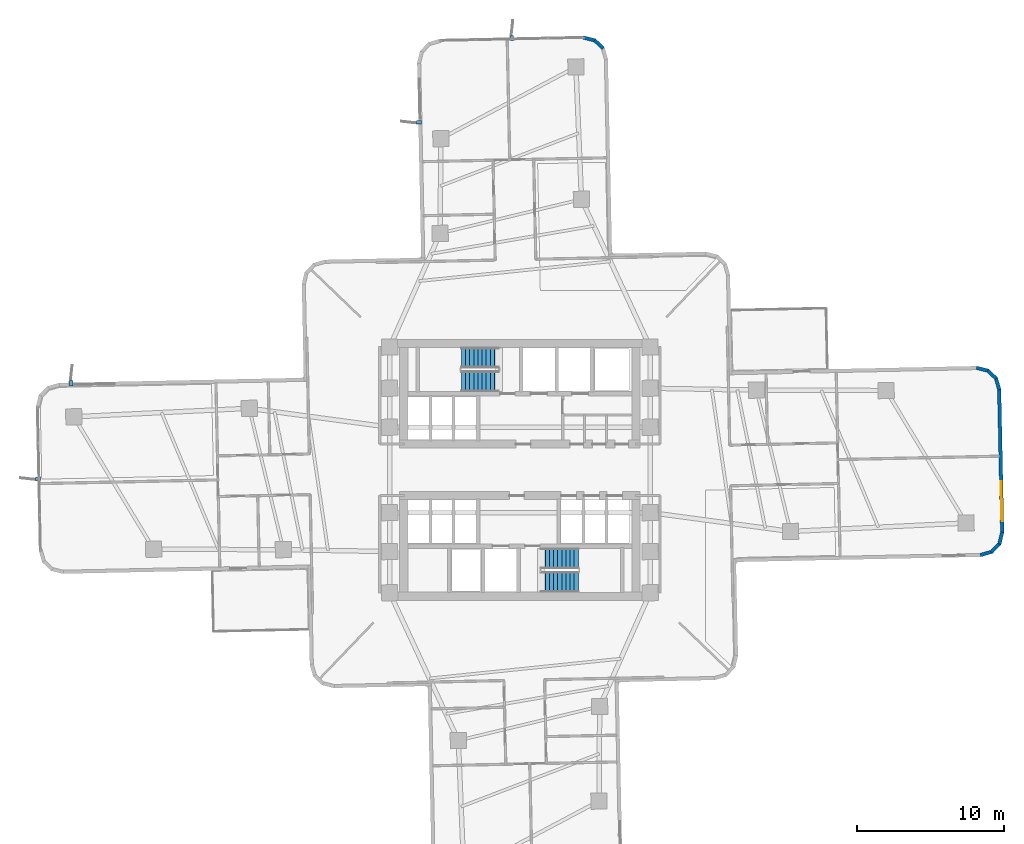
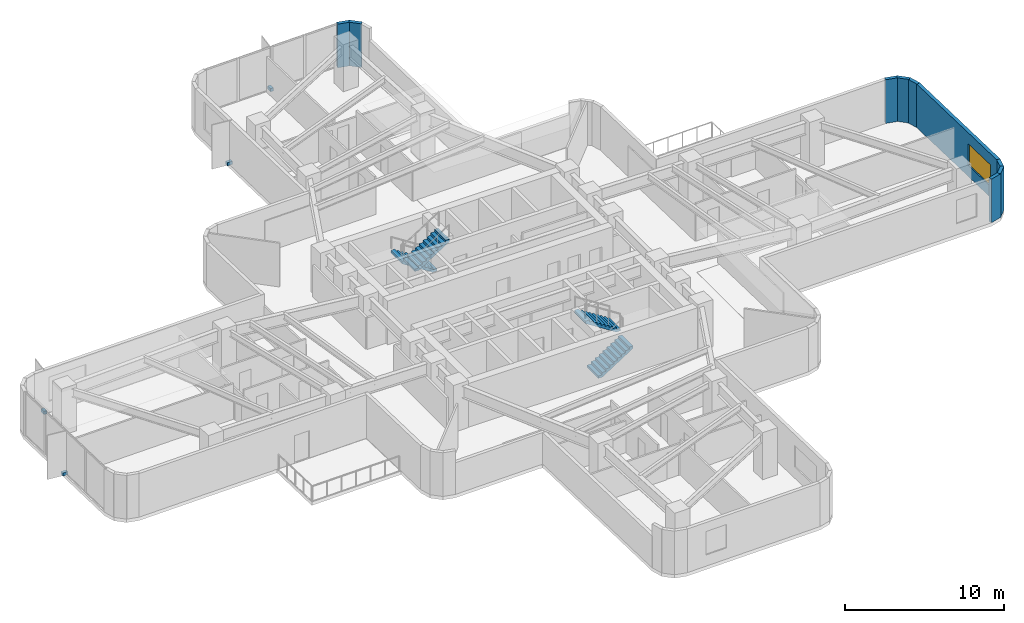
# One storey, part 11 of 15: 9 walls, 4 discrete accessories, 4 stair flights, 1 window, 1 opening, 2 elements without a shape of their own.
"""IFC4 building model written with IfcOpenShell, lengths in metres."""

from ifc_helpers import new_model, si_unit, direction, frame, frame_2d, origin, origin_2d, place, context, subcontext, project, spatial, polyline, rectangle, outline, extrude, material, layer, layer_set, type_object, element, fill, aggregate, save


model = new_model("IFC4")

# Units and contexts
model_context = context("Model", 3, precision=1e-05, world=origin(), true_north=direction((0.0, 1.0)))
body_context = subcontext(model_context, "Body", "Model", "MODEL_VIEW")
ifc_project = project(units=[si_unit("LENGTHUNIT", "METRE"), si_unit("AREAUNIT", "SQUARE_METRE"), si_unit("VOLUMEUNIT", "CUBIC_METRE"), si_unit("PLANEANGLEUNIT", "RADIAN"), si_unit("MASSUNIT", "GRAM", prefix="KILO")], contexts=[model_context])

# Site, building, storey
site_placement = place(None, origin())
site = spatial("IfcSite", under=ifc_project, at=site_placement, CompositionType="ELEMENT")
building_placement = place(site_placement, origin())
building = spatial("IfcBuilding", under=site, at=building_placement, Name="Solmarez Civic Tower", CompositionType="ELEMENT")
storey_placement = place(building_placement, frame((0.0, 0.0, 38.8798828125)))
storey = spatial("IfcBuildingStorey", under=building, at=storey_placement, Name="L09", CompositionType="ELEMENT", Elevation=38.8798828125)

# Walls
ifc_material_1 = material(Name="Precast concrete C40/50", Category="concrete")
ifc_layer = layer(ifc_material_1, 0.239990234375)
ifc_layer_set = layer_set([ifc_layer], Name="Precast concrete C40/50")
wall_type = type_object("IfcWallType", Name="WALL-EXT-240", PredefinedType="SOLIDWALL", material=ifc_layer_set)
wall_1_placement = place(storey_placement, frame((4.305908203125, 29.383056640625, 0.0), z_axis=(0.0, 0.0, 1.0), x_axis=(0.97113761746, -0.238519869098, 0.0)))
element("IfcWall", 1, at=wall_1_placement, inside=storey, type_object=wall_type, Name="L09 Exterior Precast Wall 25", PredefinedType="SOLIDWALL", context=body_context, shape_type="SweptSolid", body=[
    extrude(rectangle(XDim=0.830078125, YDim=0.239990234375, at=frame_2d((0.4150390625, 0.0))), origin(), (0.0, 0.0, 1.0), 3.340087890625),
])
wall_2_placement = place(storey_placement, frame((5.070068359375, 29.2080078125, 0.0), z_axis=(0.0, 0.0, 1.0), x_axis=(0.721663211076, -0.692244328095, 0.0)))
element("IfcWall", 2, at=wall_2_placement, inside=storey, type_object=wall_type, Name="L09 Exterior Precast Wall 26", PredefinedType="SOLIDWALL", context=body_context, shape_type="SweptSolid", body=[
    extrude(rectangle(XDim=0.813232421875, YDim=0.239990234375, at=frame_2d((0.40673828125, 0.0))), origin(), (0.0, 0.0, 1.0), 3.340087890625),
])
wall_3_placement = place(storey_placement, frame((31.02197265625, 6.93798828125, 0.0), z_axis=(0.0, 0.0, 1.0), x_axis=(0.971120878097, -0.238588013371, 0.0)))
element("IfcWall", 3, at=wall_3_placement, inside=storey, type_object=wall_type, Name="L09 Exterior Precast Wall 39", PredefinedType="SOLIDWALL", context=body_context, shape_type="SweptSolid", body=[
    extrude(rectangle(XDim=0.829833984375, YDim=0.239990234375, at=frame_2d((0.4150390625, 0.0))), origin(), (0.0, 0.0, 1.0), 3.340087890625),
])
wall_4_placement = place(storey_placement, frame((31.785888671875, 6.762939453125, 0.0), z_axis=(0.0, 0.0, 1.0), x_axis=(0.721807017337, -0.692094379202, 0.0)))
element("IfcWall", 4, at=wall_4_placement, inside=storey, type_object=wall_type, Name="L09 Exterior Precast Wall 40", PredefinedType="SOLIDWALL", context=body_context, shape_type="SweptSolid", body=[
    extrude(rectangle(XDim=0.8134765625, YDim=0.239990234375, at=frame_2d((0.40673828125, 0.0))), origin(), (0.0, 0.0, 1.0), 3.340087890625),
])
wall_5_placement = place(storey_placement, frame((32.347900390625, 6.240966796875, 0.0), z_axis=(0.0, 0.0, 1.0), x_axis=(0.2797289077, -0.960079027058, 0.0)))
element("IfcWall", 5, at=wall_5_placement, inside=storey, type_object=wall_type, Name="L09 Exterior Precast Wall 41", PredefinedType="SOLIDWALL", context=body_context, shape_type="SweptSolid", body=[
    extrude(rectangle(XDim=0.830078125, YDim=0.239990234375, at=frame_2d((0.4150390625, 0.0))), origin(), (0.0, 0.0, 1.0), 3.340087890625),
])

# Wall, opening, window
wall_6_placement = place(storey_placement, frame((32.572021484375, 5.492919921875, 0.0), z_axis=(0.0, 0.0, 1.0), x_axis=(0.020971264701, -0.999780078846, 0.0)))
wall_6 = element("IfcWall", 6, at=wall_6_placement, inside=storey, type_object=wall_type, Name="L09 Exterior Precast Wall 42", PredefinedType="SOLIDWALL", context=body_context, shape_type="SweptSolid", body=[
    extrude(rectangle(XDim=9.779052734375, YDim=0.239990234375, at=frame_2d((4.8896484375, 0.0))), origin(), (0.0, 0.0, 1.0), 3.340087890625),
])
opening_placement = place(wall_6_placement, frame((6.278076171875, 0.0, 0.85009765625)))
opening = element("IfcOpeningElement", 7, at=opening_placement, cuts=wall_6, Name="Opening W-09", PredefinedType="OPENING", context=body_context, shape_type="SweptSolid", body=[
    extrude(rectangle(XDim=2.699951171875, YDim=1.64990234375, at=frame_2d((1.35009765625, 0.824951171875))), frame((0.0, 0.1298828125, 0.0), z_axis=(0.0, -1.0, 0.0), x_axis=(1.0, 0.0, 0.0)), (0.0, 0.0, 1.0), 0.260009765625),
])
ifc_material_2 = material(Name="Solar Control Bronze-Tinted Insulating Glass", Category="glass")
window_type = type_object("IfcWindowType", Name="WIN-2700X1650", PartitioningType="SINGLE_PANEL", PredefinedType="WINDOW", material=ifc_material_2)
window_placement = place(opening_placement, origin())
window = element("IfcWindow", 8, at=window_placement, inside=storey, type_object=window_type, Name="L09 Exterior Facade Window 42", OverallHeight=1.64990234375, OverallWidth=2.699951171875, PartitioningType="SINGLE_PANEL", PredefinedType="WINDOW", context=body_context, shape_type="SweptSolid", body=[
    extrude(rectangle(XDim=2.699951171875, YDim=1.64990234375, at=frame_2d((1.35009765625, 0.824951171875))), frame((0.0, 0.030029296875, 0.0), z_axis=(0.0, -1.0, 0.0), x_axis=(1.0, 0.0, 0.0)), (0.0, 0.0, 1.0), 0.06005859375),
])
fill(opening, window)

# Walls
wall_7_placement = place(storey_placement, frame((32.781982421875, -4.235107421875, 0.0), z_axis=(0.0, 0.0, 1.0), x_axis=(-0.238860968489, -0.971053776952, 0.0)))
element("IfcWall", 9, at=wall_7_placement, inside=storey, type_object=wall_type, Name="L09 Exterior Precast Wall 43", PredefinedType="SOLIDWALL", context=body_context, shape_type="SweptSolid", body=[
    extrude(rectangle(XDim=0.828857421875, YDim=0.239990234375, at=frame_2d((0.41455078125, 0.0))), origin(), (0.0, 0.0, 1.0), 3.340087890625),
])
wall_8_placement = place(storey_placement, frame((32.60693359375, -4.998046875, 0.0), z_axis=(0.0, 0.0, 1.0), x_axis=(-0.691018151037, -0.722837405602, 0.0)))
element("IfcWall", 10, at=wall_8_placement, inside=storey, type_object=wall_type, Name="L09 Exterior Precast Wall 44", PredefinedType="SOLIDWALL", context=body_context, shape_type="SweptSolid", body=[
    extrude(rectangle(XDim=0.813232421875, YDim=0.239990234375, at=frame_2d((0.40673828125, 0.0))), origin(), (0.0, 0.0, 1.0), 3.340087890625),
])
wall_9_placement = place(storey_placement, frame((32.0859375, -5.56103515625, 0.0), z_axis=(0.0, 0.0, 1.0), x_axis=(-0.960249728562, -0.279142362954, 0.0)))
element("IfcWall", 11, at=wall_9_placement, inside=storey, type_object=wall_type, Name="L09 Exterior Precast Wall 45", PredefinedType="SOLIDWALL", context=body_context, shape_type="SweptSolid", body=[
    extrude(rectangle(XDim=0.830810546875, YDim=0.239990234375, at=frame_2d((0.41552734375, 0.0))), origin(), (0.0, 0.0, 1.0), 3.340087890625),
])

# Stair, stair flights
ifc_material_3 = material(Name="Concrete C50/60", Category="concrete")
stair_type = type_object("IfcStairType", Name="STAIR-DOGLEG-140W-20R-1800", PredefinedType="HALF_TURN_STAIR", material=ifc_material_3)
stair_1_placement = place(storey_placement, origin())
stair_1 = element("IfcStair", 12, at=stair_1_placement, inside=storey, type_object=stair_type, Name="L09 North Core Protected Exit Stair ST-1", PredefinedType="HALF_TURN_STAIR")
stair_flight_type = type_object("IfcStairFlightType", Name="FLIGHT-DOGLEG-140W-10R-1800", PredefinedType="STRAIGHT", material=ifc_material_3)
stair_flight_1_placement = place(storey_placement, frame((-1.449951171875, 7.6201171875, 0.0), z_axis=(0.0, 0.0, 1.0), x_axis=(-1.0, 0.0, 0.0)))
stair_flight_1 = element("IfcStairFlight", 13, at=stair_flight_1_placement, type_object=stair_flight_type, Name="ST-1 flight 1", NumberOfRisers=10, NumberOfTreads=9, PredefinedType="STRAIGHT", RiserHeight=0.18, TreadLength=0.28, context=body_context, shape_type="SweptSolid", body=[
    extrude(outline(polyline([(0.0, 0.0), (0.0, 0.179931640625), (0.280029296875, 0.179931640625), (0.280029296875, 0.360107421875), (0.56005859375, 0.360107421875), (0.56005859375, 0.5400390625), (0.840087890625, 0.5400390625), (0.840087890625, 0.719970703125), (1.1201171875, 0.719970703125), (1.1201171875, 0.89990234375), (1.39990234375, 0.89990234375), (1.39990234375, 1.080078125), (1.679931640625, 1.080078125), (1.679931640625, 1.260009765625), (1.9599609375, 1.260009765625), (1.9599609375, 1.43994140625), (2.239990234375, 1.43994140625), (2.239990234375, 1.6201171875), (2.52001953125, 1.6201171875), (2.52001953125, 1.800048828125), (2.52001953125, 1.429931640625), (0.295654296875, 0.0), (0.0, 0.0)])), frame((0.0, 0.699951171875, 0.0), z_axis=(0.0, -1.0, 0.0), x_axis=(1.0, 0.0, 0.0)), (0.0, 0.0, 1.0), 1.39990234375),
])
stair_flight_2_placement = place(storey_placement, frame((-3.969970703125, 6.02001953125, 1.800048828125), z_axis=(0.0, 0.0, 1.0), x_axis=(1.0, 0.0, 0.0)))
stair_flight_2 = element("IfcStairFlight", 14, at=stair_flight_2_placement, type_object=stair_flight_type, Name="ST-1 flight 2", NumberOfRisers=10, NumberOfTreads=9, PredefinedType="STRAIGHT", RiserHeight=0.18, TreadLength=0.28, context=body_context, shape_type="SweptSolid", body=[
    extrude(outline(polyline([(0.0, 0.0), (0.0, 0.179931640625), (0.280029296875, 0.179931640625), (0.280029296875, 0.360107421875), (0.56005859375, 0.360107421875), (0.56005859375, 0.5400390625), (0.840087890625, 0.5400390625), (0.840087890625, 0.719970703125), (1.1201171875, 0.719970703125), (1.1201171875, 0.89990234375), (1.39990234375, 0.89990234375), (1.39990234375, 1.080078125), (1.679931640625, 1.080078125), (1.679931640625, 1.260009765625), (1.9599609375, 1.260009765625), (1.9599609375, 1.43994140625), (2.239990234375, 1.43994140625), (2.239990234375, 1.6201171875), (2.52001953125, 1.6201171875), (2.52001953125, 1.800048828125), (2.52001953125, 1.429931640625), (0.295654296875, 0.0), (0.0, 0.0)])), frame((0.0, 0.699951171875, 0.0), z_axis=(0.0, -1.0, 0.0), x_axis=(1.0, 0.0, 0.0)), (0.0, 0.0, 1.0), 1.39990234375),
])
aggregate(stair_1, [stair_flight_1, stair_flight_2])

stair_2_placement = place(storey_placement, origin())
stair_2 = element("IfcStair", 15, at=stair_2_placement, inside=storey, type_object=stair_type, Name="L09 South Core Protected Exit Stair ST-2", PredefinedType="HALF_TURN_STAIR")
stair_flight_3_placement = place(storey_placement, frame((1.449951171875, -7.6201171875, 0.0), z_axis=(0.0, 0.0, 1.0), x_axis=(1.0, 0.0, 0.0)))
stair_flight_3 = element("IfcStairFlight", 16, at=stair_flight_3_placement, type_object=stair_flight_type, Name="ST-2 flight 1", NumberOfRisers=10, NumberOfTreads=9, PredefinedType="STRAIGHT", RiserHeight=0.18, TreadLength=0.28, context=body_context, shape_type="SweptSolid", body=[
    extrude(outline(polyline([(0.0, 0.0), (0.0, 0.179931640625), (0.280029296875, 0.179931640625), (0.280029296875, 0.360107421875), (0.56005859375, 0.360107421875), (0.56005859375, 0.5400390625), (0.840087890625, 0.5400390625), (0.840087890625, 0.719970703125), (1.1201171875, 0.719970703125), (1.1201171875, 0.89990234375), (1.39990234375, 0.89990234375), (1.39990234375, 1.080078125), (1.679931640625, 1.080078125), (1.679931640625, 1.260009765625), (1.9599609375, 1.260009765625), (1.9599609375, 1.43994140625), (2.239990234375, 1.43994140625), (2.239990234375, 1.6201171875), (2.52001953125, 1.6201171875), (2.52001953125, 1.800048828125), (2.52001953125, 1.429931640625), (0.295654296875, 0.0), (0.0, 0.0)])), frame((0.0, 0.699951171875, 0.0), z_axis=(0.0, -1.0, 0.0), x_axis=(1.0, 0.0, 0.0)), (0.0, 0.0, 1.0), 1.39990234375),
])
stair_flight_4_placement = place(storey_placement, frame((3.969970703125, -6.02001953125, 1.800048828125), z_axis=(0.0, 0.0, 1.0), x_axis=(-1.0, 0.0, 0.0)))
stair_flight_4 = element("IfcStairFlight", 17, at=stair_flight_4_placement, type_object=stair_flight_type, Name="ST-2 flight 2", NumberOfRisers=10, NumberOfTreads=9, PredefinedType="STRAIGHT", RiserHeight=0.18, TreadLength=0.28, context=body_context, shape_type="SweptSolid", body=[
    extrude(outline(polyline([(0.0, 0.0), (0.0, 0.179931640625), (0.280029296875, 0.179931640625), (0.280029296875, 0.360107421875), (0.56005859375, 0.360107421875), (0.56005859375, 0.5400390625), (0.840087890625, 0.5400390625), (0.840087890625, 0.719970703125), (1.1201171875, 0.719970703125), (1.1201171875, 0.89990234375), (1.39990234375, 0.89990234375), (1.39990234375, 1.080078125), (1.679931640625, 1.080078125), (1.679931640625, 1.260009765625), (1.9599609375, 1.260009765625), (1.9599609375, 1.43994140625), (2.239990234375, 1.43994140625), (2.239990234375, 1.6201171875), (2.52001953125, 1.6201171875), (2.52001953125, 1.800048828125), (2.52001953125, 1.429931640625), (0.295654296875, 0.0), (0.0, 0.0)])), frame((0.0, 0.699951171875, 0.0), z_axis=(0.0, -1.0, 0.0), x_axis=(1.0, 0.0, 0.0)), (0.0, 0.0, 1.0), 1.39990234375),
])
aggregate(stair_2, [stair_flight_3, stair_flight_4])

# Discrete accessories
ifc_material_4 = material(Name="Stainless Steel Grade 1.4401", Category="steel")
discrete_accessory_type = type_object("IfcDiscreteAccessoryType", Name="BRACKET-SS-FIN", PredefinedType="BRACKET", material=ifc_material_4)
for number, where, z_axis, x_axis, name in (
    (18, (-32.75390625, -0.60595703125, -0.06005859375), (0.0, 0.0, 1.0), (-0.999782298004, -0.020865200635, 0.0), "L09 Stainless Fin Support Bracket FIN-L09-01"),
    (19, (-30.489013671875, 5.883056640625, -0.06005859375), (0.0, 0.0, 1.0), (-0.020949374297, 0.999780537776, 0.0), "L09 Stainless Fin Support Bracket FIN-L09-02"),
    (20, (-6.85595703125, 23.62109375, -0.06005859375), (0.0, 0.0, 1.0), (-0.999780155684, -0.020967601199, 0.0), "L09 Stainless Fin Support Bracket FIN-L09-03"),
    (21, (-0.534912109375, 29.35498046875, -0.06005859375), (0.0, 0.0, 1.0), (-0.020970094709, 0.999780103387, 0.0), "L09 Stainless Fin Support Bracket FIN-L09-04"),
):
    element("IfcDiscreteAccessory", number, at=place(storey_placement, frame(where, z_axis=z_axis, x_axis=x_axis)), inside=storey, type_object=discrete_accessory_type, Name=name, PredefinedType="BRACKET", context=body_context, shape_type="SweptSolid", body=[
        extrude(rectangle(XDim=0.360107421875, YDim=0.219970703125, at=origin_2d()), origin(), (0.0, 0.0, 1.0), 0.239990234375),
    ])

save(model, "model.ifc")
